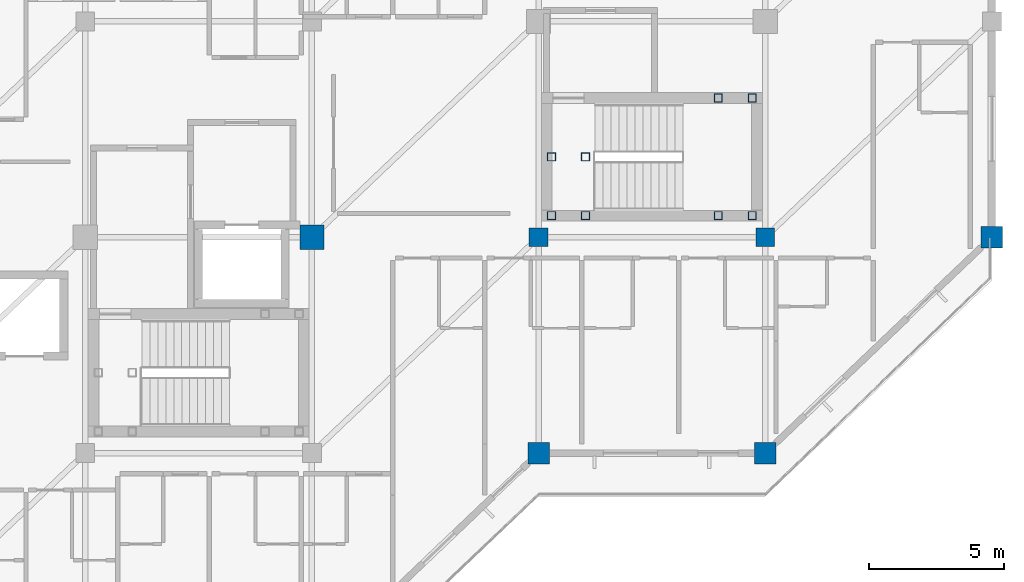
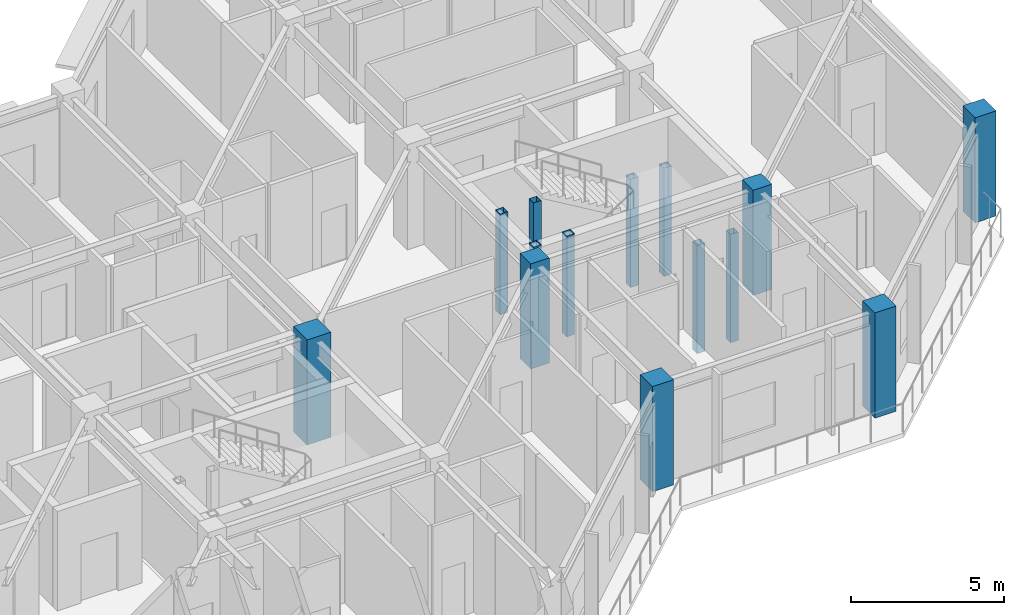
# One storey, part 3 of 22: 14 columns.
"""IFC4 building model written with IfcOpenShell, lengths in metres."""

from ifc_helpers import new_model, si_unit, direction, frame, origin, origin_2d, place, context, subcontext, project, spatial, rectangle, hollow_rectangle, extrude, material, material_profile, profile_set, type_object, element, save


model = new_model("IFC4")

# Units and contexts
model_context = context("Model", 3, precision=1e-05, world=origin(), true_north=direction((0.0, 1.0)))
body_context = subcontext(model_context, "Body", "Model", "MODEL_VIEW")
ifc_project = project(units=[si_unit("LENGTHUNIT", "METRE"), si_unit("AREAUNIT", "SQUARE_METRE"), si_unit("VOLUMEUNIT", "CUBIC_METRE"), si_unit("PLANEANGLEUNIT", "RADIAN"), si_unit("MASSUNIT", "GRAM", prefix="KILO")], contexts=[model_context])

# Site, building, storey
site_placement = place(None, origin())
site = spatial("IfcSite", under=ifc_project, at=site_placement, CompositionType="ELEMENT")
building_placement = place(site_placement, origin())
building = spatial("IfcBuilding", under=site, at=building_placement, Name="Naruveol Harbour Congress Hotel", CompositionType="ELEMENT")
storey_placement = place(building_placement, frame((0.0, 0.0, 21.0)))
storey = spatial("IfcBuildingStorey", under=building, at=storey_placement, Name="L04", CompositionType="ELEMENT", Elevation=21.0)

# Columns
ifc_material_1 = material(Name="Concrete C40/50", Category="concrete")
ifc_material_profile_1 = material_profile(ifc_material_1, rectangle(XDim=0.699951171875, YDim=0.699951171875, at=origin_2d()), Name="RC-700x700")
ifc_profile_set_1 = profile_set([ifc_material_profile_1], Name="Concrete C40/50")
column_type_1 = type_object("IfcColumnType", Name="RC HOTEL COLUMN 700X700", PredefinedType="COLUMN", material=ifc_profile_set_1)
for number, where, z_axis, x_axis, name in (
    (1, (168.0, 24.0, 0.0), (0.0, 0.0, 1.0), (1.0, 0.0, 0.0), "Planted hotel column C-700 L04 S6/J1"),
    (2, (176.39990234375, 24.0, 0.0), (0.0, 0.0, 1.0), (1.0, 0.0, 0.0), "Planted hotel column C-700 L04 S7/J1"),
):
    element("IfcColumn", number, at=place(storey_placement, frame(where, z_axis=z_axis, x_axis=x_axis)), inside=storey, type_object=column_type_1, Name=name, PredefinedType="COLUMN", context=body_context, shape_type="SweptSolid", body=[
        extrude(rectangle(XDim=0.699951171875, YDim=0.699951171875, at=origin_2d()), origin(), (0.0, 0.0, 1.0), 4.199951171875),
    ])
ifc_material_2 = material(Name="Concrete C50/60", Category="concrete")
ifc_material_profile_2 = material_profile(ifc_material_2, rectangle(XDim=0.800048828125, YDim=0.800048828125, at=origin_2d()), Name="RC-800x800")
ifc_profile_set_2 = profile_set([ifc_material_profile_2], Name="Concrete C50/60")
column_type_2 = type_object("IfcColumnType", Name="RC PODIUM COLUMN 800X800", PredefinedType="COLUMN", material=ifc_profile_set_2)
for number, where, z_axis, x_axis, name in (
    (3, (168.0, 16.0, 0.0), (0.0, 0.0, 1.0), (1.0, 0.0, 0.0), "Column C-800 L04 (168.0,16.0)"),
    (4, (176.39990234375, 16.0, 0.0), (0.0, 0.0, 1.0), (1.0, 0.0, 0.0), "Column C-800 L04 (176.4,16.0)"),
    (5, (184.800048828125, 24.0, 0.0), (0.0, 0.0, 1.0), (1.0, 0.0, 0.0), "Column C-800 L04 (184.8,24.0)"),
):
    element("IfcColumn", number, at=place(storey_placement, frame(where, z_axis=z_axis, x_axis=x_axis)), inside=storey, type_object=column_type_2, Name=name, PredefinedType="COLUMN", context=body_context, shape_type="SweptSolid", body=[
        extrude(rectangle(XDim=0.800048828125, YDim=0.800048828125, at=origin_2d()), origin(), (0.0, 0.0, 1.0), 4.199951171875),
    ])
ifc_material_3 = material(Name="Concrete C50/60", Category="concrete")
ifc_material_profile_3 = material_profile(ifc_material_3, rectangle(XDim=0.89990234375, YDim=0.89990234375, at=origin_2d()), Name="RC-900x900")
ifc_profile_set_3 = profile_set([ifc_material_profile_3], Name="Concrete C50/60")
column_type_3 = type_object("IfcColumnType", Name="RC PRIMARY COLUMN 900X900", PredefinedType="COLUMN", material=ifc_profile_set_3)
column_placement = place(storey_placement, frame((159.60009765625, 24.0, 0.0), z_axis=(0.0, 0.0, 1.0), x_axis=(1.0, 0.0, 0.0)))
element("IfcColumn", 6, at=column_placement, inside=storey, type_object=column_type_3, Name="Column C-900 L04 (159.6,24.0)", PredefinedType="COLUMN", context=body_context, shape_type="SweptSolid", body=[
    extrude(rectangle(XDim=0.89990234375, YDim=0.89990234375, at=origin_2d()), origin(), (0.0, 0.0, 1.0), 4.199951171875),
])
ifc_material_4 = material(Name="Steel SN490", Category="steel")
ifc_material_profile_4 = material_profile(ifc_material_4, hollow_rectangle(XDim=0.300048828125, YDim=0.300048828125, WallThickness=0.011962890625, at=origin_2d()), Name="SHS-300x300x12")
ifc_profile_set_4 = profile_set([ifc_material_profile_4], Name="Steel SN490")
column_type_4 = type_object("IfcColumnType", Name="STEEL COLONNADE POST SHS300", PredefinedType="COLUMN", material=ifc_profile_set_4)
for number, where, z_axis, x_axis, name in (
    (7, (168.47998046875, 24.800048828125, 0.0), (0.0, 0.0, 1.0), (1.0, 0.0, 0.0), "Stair landing support post ST4W #278"),
    (8, (168.47998046875, 26.97998046875, 0.0), (0.0, 0.0, 1.0), (1.0, 0.0, 0.0), "Stair landing support post ST4W #286"),
    (9, (169.739990234375, 24.800048828125, 0.0), (0.0, 0.0, 1.0), (1.0, 0.0, 0.0), "Stair landing support post ST4W #294"),
    (10, (169.739990234375, 26.97998046875, 0.0), (0.0, 0.0, 1.0), (1.0, 0.0, 0.0), "Stair landing support post ST4W #302"),
):
    element("IfcColumn", number, at=place(storey_placement, frame(where, z_axis=z_axis, x_axis=x_axis)), inside=storey, type_object=column_type_4, Name=name, PredefinedType="COLUMN", context=body_context, shape_type="SweptSolid", body=[
        extrude(hollow_rectangle(XDim=0.300048828125, YDim=0.300048828125, WallThickness=0.011962890625, at=origin_2d()), origin(), (0.0, 0.0, 1.0), 4.02001953125),
    ])
for number, where, z_axis, x_axis, name in (
    (11, (174.659912109375, 24.800048828125, -2.39990234375), (0.0, 0.0, 1.0), (1.0, 0.0, 0.0), "Stair landing support post ST4E #310"),
    (12, (174.659912109375, 29.159912109375, -2.39990234375), (0.0, 0.0, 1.0), (1.0, 0.0, 0.0), "Stair landing support post ST4E #318"),
    (13, (175.919921875, 24.800048828125, -2.39990234375), (0.0, 0.0, 1.0), (1.0, 0.0, 0.0), "Stair landing support post ST4E #326"),
    (14, (175.919921875, 29.159912109375, -2.39990234375), (0.0, 0.0, 1.0), (1.0, 0.0, 0.0), "Stair landing support post ST4E #334"),
):
    element("IfcColumn", number, at=place(storey_placement, frame(where, z_axis=z_axis, x_axis=x_axis)), inside=storey, type_object=column_type_4, Name=name, PredefinedType="COLUMN", context=body_context, shape_type="SweptSolid", body=[
        extrude(hollow_rectangle(XDim=0.300048828125, YDim=0.300048828125, WallThickness=0.011962890625, at=origin_2d()), origin(), (0.0, 0.0, 1.0), 4.31982421875),
    ])

save(model, "model.ifc")
